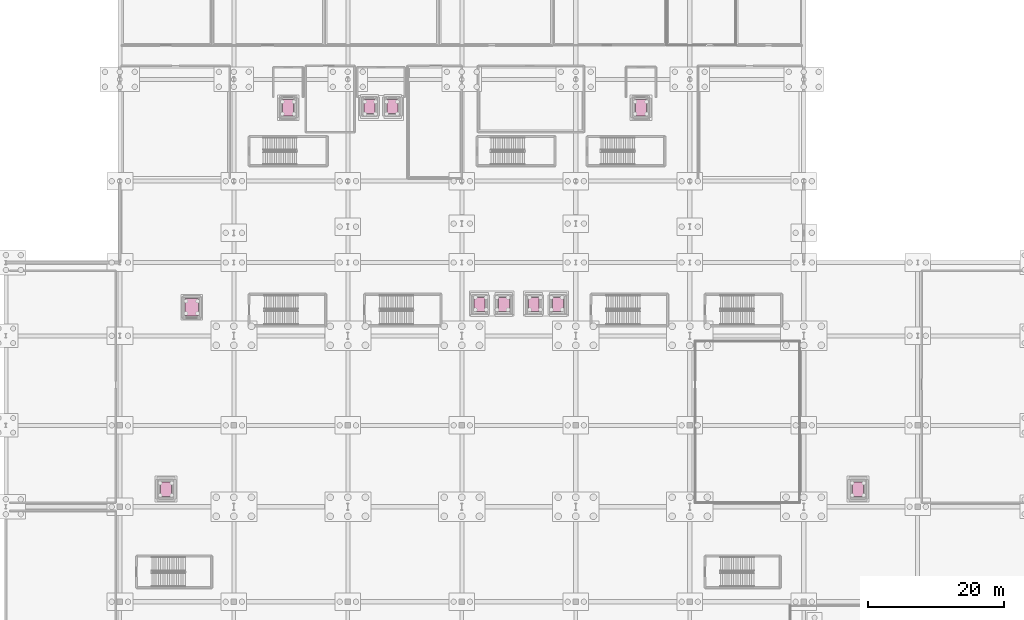
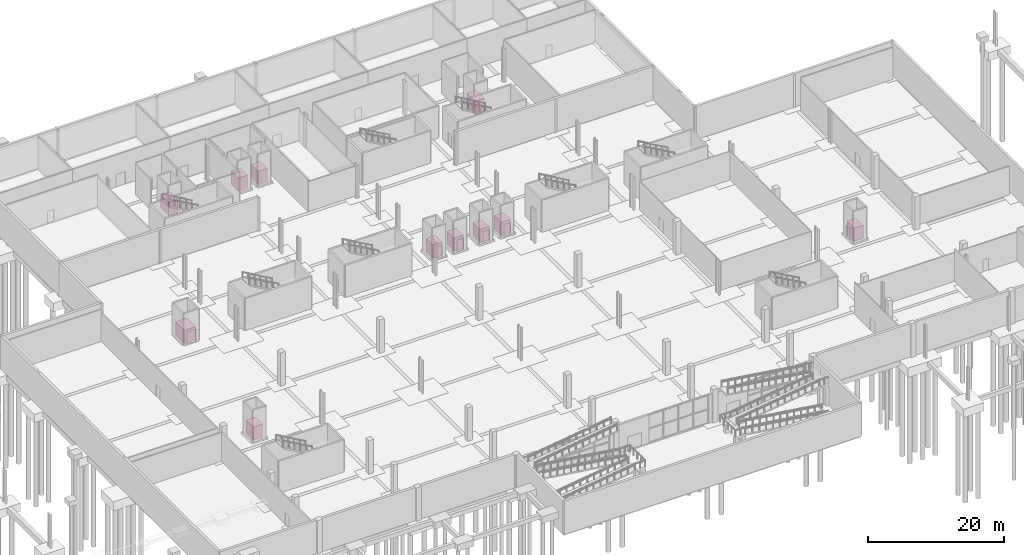
# One storey, part 46 of 46: 11 transport elements.
"""IFC4 building model written with IfcOpenShell, lengths in metres."""

from ifc_helpers import new_model, si_unit, direction, frame, origin, origin_2d, place, context, subcontext, project, spatial, rectangle, extrude, material, type_object, element, save


model = new_model("IFC4")

# Units and contexts
model_context = context("Model", 3, precision=1e-05, world=origin(), true_north=direction((0.0, 1.0)))
body_context = subcontext(model_context, "Body", "Model", "MODEL_VIEW")
ifc_project = project(units=[si_unit("LENGTHUNIT", "METRE"), si_unit("AREAUNIT", "SQUARE_METRE"), si_unit("VOLUMEUNIT", "CUBIC_METRE"), si_unit("PLANEANGLEUNIT", "RADIAN"), si_unit("MASSUNIT", "GRAM", prefix="KILO")], contexts=[model_context])

# Site, building, storey
site_placement = place(None, origin())
site = spatial("IfcSite", under=ifc_project, at=site_placement, CompositionType="ELEMENT")
building_placement = place(site_placement, origin())
building = spatial("IfcBuilding", under=site, at=building_placement, Name="Kimbaza Rail Terminus", CompositionType="ELEMENT")
storey_placement = place(building_placement, frame((0.0, 0.0, -6.0)))
storey = spatial("IfcBuildingStorey", under=building, at=storey_placement, Name="B1", CompositionType="ELEMENT", Elevation=-6.0)

# Transport elements
ifc_material_1 = material(Name="Stainless steel elevator cab assembly", Category="steel")
transport_element_type_1 = type_object("IfcTransportElementType", Name="ARC-LFT-FF1800", PredefinedType="ELEVATOR", material=ifc_material_1)
for number, where, z_axis, x_axis, name in (
    (1, (80.0, 113.800048828125, 0.0), (0.0, 0.0, 1.0), (1.0, 0.0, 0.0), "Firefighting Lift LF-01"),
    (2, (132.0, 113.800048828125, 0.0), (0.0, 0.0, 1.0), (1.0, 0.0, 0.0), "Firefighting Lift LF-02"),
):
    element("IfcTransportElement", number, at=place(storey_placement, frame(where, z_axis=z_axis, x_axis=x_axis)), inside=storey, type_object=transport_element_type_1, Name=name, PredefinedType="ELEVATOR", context=body_context, shape_type="SweptSolid", body=[
        extrude(rectangle(XDim=1.60009765625, YDim=2.39990234375, at=origin_2d()), origin(), (0.0, 0.0, 1.0), 2.39990234375),
    ])
ifc_material_2 = material(Name="Stainless steel elevator cab assembly", Category="steel")
transport_element_type_2 = type_object("IfcTransportElementType", Name="ARC-LFT-GD2500", PredefinedType="ELEVATOR", material=ifc_material_2)
transport_element_placement = place(storey_placement, frame((65.800048828125, 84.39990234375, 0.0), z_axis=(0.0, 0.0, 1.0), x_axis=(1.0, 0.0, 0.0)))
element("IfcTransportElement", 3, at=transport_element_placement, inside=storey, type_object=transport_element_type_2, Name="Baggage Goods Lift LG-01", PredefinedType="ELEVATOR", context=body_context, shape_type="SweptSolid", body=[
    extrude(rectangle(XDim=2.0, YDim=2.60009765625, at=origin_2d()), origin(), (0.0, 0.0, 1.0), 2.39990234375),
])
ifc_material_3 = material(Name="Stainless steel elevator cab assembly", Category="steel")
transport_element_type_3 = type_object("IfcTransportElementType", Name="ARC-LFT-P1275", PredefinedType="ELEVATOR", material=ifc_material_3)
for number, where, z_axis, x_axis, name in (
    (4, (92.0, 114.0, 0.0), (0.0, 0.0, 1.0), (1.0, 0.0, 0.0), "Operations Wing Lift LP-08"),
    (5, (95.39990234375, 114.0, 0.0), (0.0, 0.0, 1.0), (1.0, 0.0, 0.0), "Operations Wing Lift LP-09"),
):
    element("IfcTransportElement", number, at=place(storey_placement, frame(where, z_axis=z_axis, x_axis=x_axis)), inside=storey, type_object=transport_element_type_3, Name=name, PredefinedType="ELEVATOR", context=body_context, shape_type="SweptSolid", body=[
        extrude(rectangle(XDim=1.60009765625, YDim=2.10009765625, at=origin_2d()), origin(), (0.0, 0.0, 1.0), 2.39990234375),
    ])
ifc_material_4 = material(Name="Stainless steel elevator cab assembly", Category="steel")
transport_element_type_4 = type_object("IfcTransportElementType", Name="ARC-LFT-P1600", PredefinedType="ELEVATOR", material=ifc_material_4)
for number, where, z_axis, x_axis, name in (
    (6, (108.199951171875, 84.800048828125, 0.0), (0.0, 0.0, 1.0), (1.0, 0.0, 0.0), "Passenger Lift LP-01"),
    (7, (111.800048828125, 84.800048828125, 0.0), (0.0, 0.0, 1.0), (1.0, 0.0, 0.0), "Passenger Lift LP-02"),
    (8, (116.199951171875, 84.800048828125, 0.0), (0.0, 0.0, 1.0), (1.0, 0.0, 0.0), "Passenger Lift LP-03"),
    (9, (119.800048828125, 84.800048828125, 0.0), (0.0, 0.0, 1.0), (1.0, 0.0, 0.0), "Passenger Lift LP-04"),
    (10, (62.0, 57.60009765625, 0.0), (0.0, 0.0, 1.0), (1.0, 0.0, 0.0), "Side Platform Lift LP-05"),
    (11, (164.0, 57.60009765625, 0.0), (0.0, 0.0, 1.0), (1.0, 0.0, 0.0), "East Platform Lift LP-06"),
):
    element("IfcTransportElement", number, at=place(storey_placement, frame(where, z_axis=z_axis, x_axis=x_axis)), inside=storey, type_object=transport_element_type_4, Name=name, PredefinedType="ELEVATOR", context=body_context, shape_type="SweptSolid", body=[
        extrude(rectangle(XDim=1.60009765625, YDim=2.10009765625, at=origin_2d()), origin(), (0.0, 0.0, 1.0), 2.39990234375),
    ])

save(model, "model.ifc")
